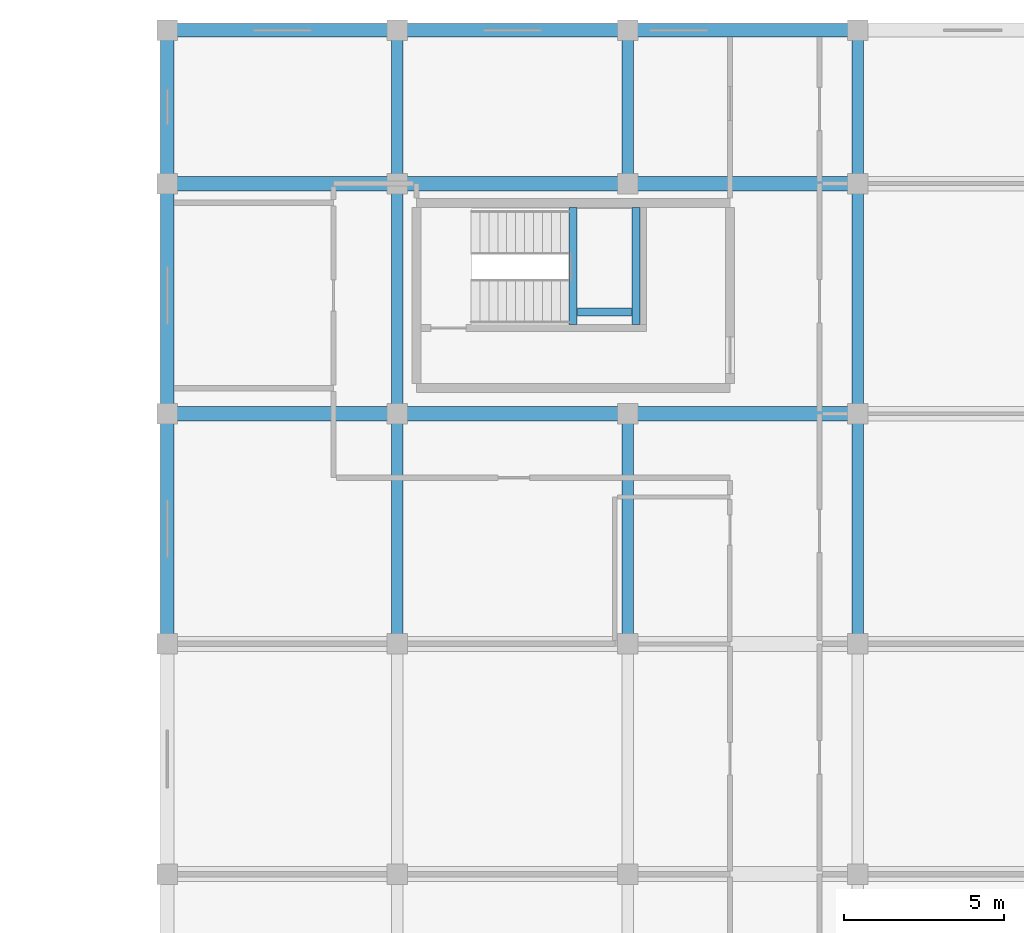
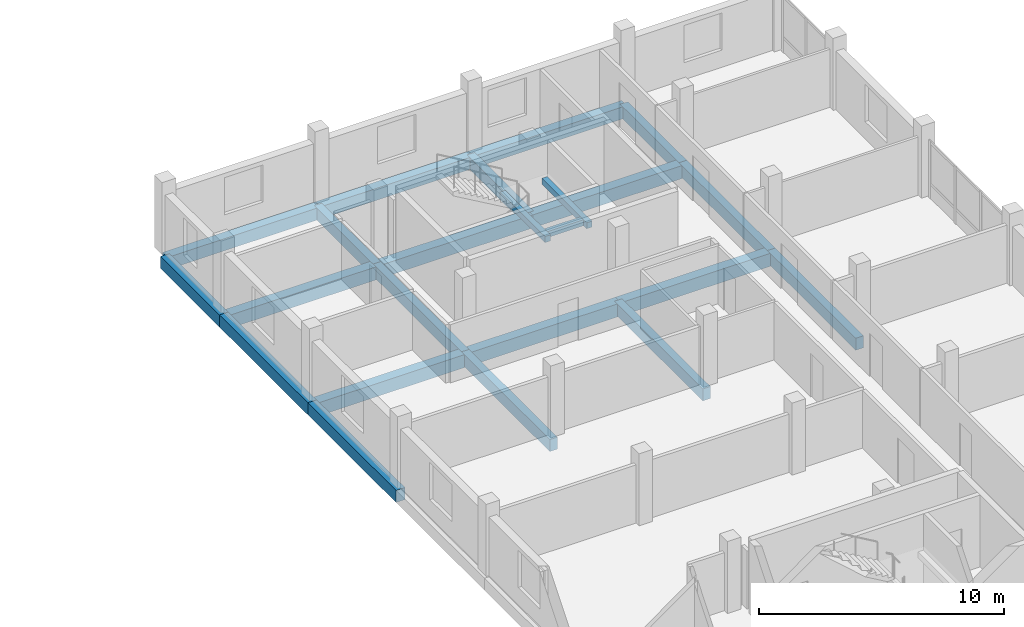
# One storey, part 93 of 128: 23 beams.
"""IFC4 building model written with IfcOpenShell, lengths in metres."""

from ifc_helpers import new_model, si_unit, direction, frame, origin, origin_2d, place, context, subcontext, project, spatial, rectangle, extrude, material, material_profile, profile_set, type_object, element, save


model = new_model("IFC4")

# Units and contexts
model_context = context("Model", 3, precision=1e-05, world=origin(), true_north=direction((0.0, 1.0)))
body_context = subcontext(model_context, "Body", "Model", "MODEL_VIEW")
ifc_project = project(units=[si_unit("LENGTHUNIT", "METRE"), si_unit("AREAUNIT", "SQUARE_METRE"), si_unit("VOLUMEUNIT", "CUBIC_METRE"), si_unit("PLANEANGLEUNIT", "RADIAN"), si_unit("MASSUNIT", "GRAM", prefix="KILO")], contexts=[model_context])

# Site, building, storey
site_placement = place(None, origin())
site = spatial("IfcSite", under=ifc_project, at=site_placement, CompositionType="ELEMENT")
building_placement = place(site_placement, origin())
building = spatial("IfcBuilding", under=site, at=building_placement, Name="Zornivar Specialist Clinic", CompositionType="ELEMENT")
storey_placement = place(building_placement, frame((0.0, 0.0, 4.5)))
storey = spatial("IfcBuildingStorey", under=building, at=storey_placement, Name="L01", CompositionType="ELEMENT", Elevation=4.5)

# Beams
ifc_material_1 = material(Name="Concrete C30/37", Category="concrete")
ifc_material_profile_1 = material_profile(ifc_material_1, rectangle(XDim=0.25, YDim=0.300048828125, at=origin_2d()), Name="RC 250x300")
ifc_profile_set_1 = profile_set([ifc_material_profile_1], Name="Concrete C30/37")
beam_type_1 = type_object("IfcBeamType", Name="BM-LAND-250x300", PredefinedType="BEAM", material=ifc_profile_set_1)
for number, where, z_axis, x_axis, name in (
    (1, (149.5, 103.60009765625, 1.6201171875), (0.0, 1.0, 0.0), (-1.0, 0.0, 0.0), "bm:stair:C10:L01:lW"),
    (2, (151.4599609375, 103.60009765625, 1.6201171875), (0.0, 1.0, 0.0), (-1.0, 0.0, 0.0), "bm:stair:C10:L01:lE"),
):
    element("IfcBeam", number, at=place(storey_placement, frame(where, z_axis=z_axis, x_axis=x_axis)), inside=storey, type_object=beam_type_1, Name=name, PredefinedType="BEAM", context=body_context, shape_type="SweptSolid", body=[
        extrude(rectangle(XDim=0.25, YDim=0.300048828125, at=origin_2d()), origin(), (0.0, 0.0, 1.0), 3.659912109375),
    ])
beam_1_placement = place(storey_placement, frame((149.635009765625, 103.97998046875, 1.6201171875), z_axis=(1.0, 0.0, 0.0), x_axis=(0.0, 1.0, 0.0)))
element("IfcBeam", 3, at=beam_1_placement, inside=storey, type_object=beam_type_1, Name="bm:stair:C10:L01:lS", PredefinedType="BEAM", context=body_context, shape_type="SweptSolid", body=[
    extrude(rectangle(XDim=0.25, YDim=0.300048828125, at=origin_2d()), origin(), (0.0, 0.0, 1.0), 1.68994140625),
])
ifc_material_2 = material(Name="Concrete C30/37", Category="concrete")
ifc_material_profile_2 = material_profile(ifc_material_2, rectangle(XDim=0.360107421875, YDim=0.60009765625, at=origin_2d()), Name="RC 360x600")
ifc_profile_set_2 = profile_set([ifc_material_profile_2], Name="Concrete C30/37")
beam_type_2 = type_object("IfcBeamType", Name="BM-RC-360x600", PredefinedType="BEAM", material=ifc_profile_set_2)
for number, where, z_axis, x_axis, name in (
    (4, (144.0, 93.60009765625, -0.6201171875), (0.0, 1.0, 0.0), (-1.0, 0.0, 0.0), "bm:V6:L01:y:1440:4"),
    (5, (144.0, 100.800048828125, -0.6201171875), (0.0, 1.0, 0.0), (-1.0, 0.0, 0.0), "bm:V6:L01:y:1440:5"),
):
    element("IfcBeam", number, at=place(storey_placement, frame(where, z_axis=z_axis, x_axis=x_axis)), inside=storey, type_object=beam_type_2, Name=name, PredefinedType="BEAM", context=body_context, shape_type="SweptSolid", body=[
        extrude(rectangle(XDim=0.360107421875, YDim=0.60009765625, at=origin_2d()), origin(), (0.0, 0.0, 1.0), 7.199951171875),
    ])
beam_2_placement = place(storey_placement, frame((144.0, 108.0, -0.6201171875), z_axis=(0.0, 1.0, 0.0), x_axis=(-1.0, 0.0, 0.0)))
element("IfcBeam", 6, at=beam_2_placement, inside=storey, type_object=beam_type_2, Name="bm:V6:L01:y:1440:6", PredefinedType="BEAM", context=body_context, shape_type="SweptSolid", body=[
    extrude(rectangle(XDim=0.360107421875, YDim=0.60009765625, at=origin_2d()), origin(), (0.0, 0.0, 1.0), 4.800048828125),
])
beam_3_placement = place(storey_placement, frame((151.199951171875, 93.60009765625, -0.6201171875), z_axis=(0.0, 1.0, 0.0), x_axis=(-1.0, 0.0, 0.0)))
element("IfcBeam", 7, at=beam_3_placement, inside=storey, type_object=beam_type_2, Name="bm:V6:L01:y:1512:4", PredefinedType="BEAM", context=body_context, shape_type="SweptSolid", body=[
    extrude(rectangle(XDim=0.360107421875, YDim=0.60009765625, at=origin_2d()), origin(), (0.0, 0.0, 1.0), 7.199951171875),
])
beam_4_placement = place(storey_placement, frame((151.199951171875, 108.0, -0.6201171875), z_axis=(0.0, 1.0, 0.0), x_axis=(-1.0, 0.0, 0.0)))
element("IfcBeam", 8, at=beam_4_placement, inside=storey, type_object=beam_type_2, Name="bm:V6:L01:y:1512:6", PredefinedType="BEAM", context=body_context, shape_type="SweptSolid", body=[
    extrude(rectangle(XDim=0.360107421875, YDim=0.60009765625, at=origin_2d()), origin(), (0.0, 0.0, 1.0), 4.800048828125),
])
for number, where, z_axis, x_axis, name in (
    (9, (158.39990234375, 93.60009765625, -0.6201171875), (0.0, 1.0, 0.0), (-1.0, 0.0, 0.0), "bm:V6:L01:y:1584:4"),
    (10, (158.39990234375, 100.800048828125, -0.6201171875), (0.0, 1.0, 0.0), (-1.0, 0.0, 0.0), "bm:V6:L01:y:1584:5"),
):
    element("IfcBeam", number, at=place(storey_placement, frame(where, z_axis=z_axis, x_axis=x_axis)), inside=storey, type_object=beam_type_2, Name=name, PredefinedType="BEAM", context=body_context, shape_type="SweptSolid", body=[
        extrude(rectangle(XDim=0.360107421875, YDim=0.60009765625, at=origin_2d()), origin(), (0.0, 0.0, 1.0), 7.199951171875),
    ])
beam_5_placement = place(storey_placement, frame((158.39990234375, 108.0, -0.6201171875), z_axis=(0.0, 1.0, 0.0), x_axis=(-1.0, 0.0, 0.0)))
element("IfcBeam", 11, at=beam_5_placement, inside=storey, type_object=beam_type_2, Name="bm:V6:L01:y:1584:6", PredefinedType="BEAM", context=body_context, shape_type="SweptSolid", body=[
    extrude(rectangle(XDim=0.360107421875, YDim=0.60009765625, at=origin_2d()), origin(), (0.0, 0.0, 1.0), 4.800048828125),
])
ifc_material_3 = material(Name="Concrete C30/37", Category="concrete")
ifc_material_profile_3 = material_profile(ifc_material_3, rectangle(XDim=0.4599609375, YDim=0.64990234375, at=origin_2d()), Name="RC 460x650")
ifc_profile_set_3 = profile_set([ifc_material_profile_3], Name="Concrete C30/37")
beam_type_3 = type_object("IfcBeamType", Name="BM-RC-460x650", PredefinedType="BEAM", material=ifc_profile_set_3)
for number, where, z_axis, x_axis, name in (
    (12, (136.800048828125, 100.800048828125, -0.64501953125), (1.0, 0.0, 0.0), (0.0, 1.0, 0.0), "bm:V6:L01:x:1008:0"),
    (13, (144.0, 100.800048828125, -0.64501953125), (1.0, 0.0, 0.0), (0.0, 1.0, 0.0), "bm:V6:L01:x:1008:1"),
    (14, (151.199951171875, 100.800048828125, -0.64501953125), (1.0, 0.0, 0.0), (0.0, 1.0, 0.0), "bm:V6:L01:x:1008:2"),
    (15, (136.800048828125, 108.0, -0.64501953125), (1.0, 0.0, 0.0), (0.0, 1.0, 0.0), "bm:V6:L01:x:1080:0"),
    (16, (144.0, 108.0, -0.64501953125), (1.0, 0.0, 0.0), (0.0, 1.0, 0.0), "bm:V6:L01:x:1080:1"),
    (17, (151.199951171875, 108.0, -0.64501953125), (1.0, 0.0, 0.0), (0.0, 1.0, 0.0), "bm:V6:L01:x:1080:2"),
):
    element("IfcBeam", number, at=place(storey_placement, frame(where, z_axis=z_axis, x_axis=x_axis)), inside=storey, type_object=beam_type_3, Name=name, PredefinedType="BEAM", context=body_context, shape_type="SweptSolid", body=[
        extrude(rectangle(XDim=0.4599609375, YDim=0.64990234375, at=origin_2d()), origin(), (0.0, 0.0, 1.0), 7.199951171875),
    ])
ifc_material_4 = material(Name="Concrete C30/37", Category="concrete")
ifc_material_profile_4 = material_profile(ifc_material_4, rectangle(XDim=0.419921875, YDim=0.60009765625, at=origin_2d()), Name="RC 420x600")
ifc_profile_set_4 = profile_set([ifc_material_profile_4], Name="Concrete C30/37")
beam_type_4 = type_object("IfcBeamType", Name="BM-RC-SPANDREL-420x600", PredefinedType="SPANDREL", material=ifc_profile_set_4)
for number, where, z_axis, x_axis, name in (
    (18, (136.800048828125, 112.800048828125, -0.6201171875), (1.0, 0.0, 0.0), (0.0, 1.0, 0.0), "bm:V6:L01:x:1128:0"),
    (19, (144.0, 112.800048828125, -0.6201171875), (1.0, 0.0, 0.0), (0.0, 1.0, 0.0), "bm:V6:L01:x:1128:1"),
    (20, (151.199951171875, 112.800048828125, -0.6201171875), (1.0, 0.0, 0.0), (0.0, 1.0, 0.0), "bm:V6:L01:x:1128:2"),
    (21, (136.800048828125, 93.60009765625, -0.6201171875), (0.0, 1.0, 0.0), (-1.0, 0.0, 0.0), "bm:V6:L01:y:1368:4"),
    (22, (136.800048828125, 100.800048828125, -0.6201171875), (0.0, 1.0, 0.0), (-1.0, 0.0, 0.0), "bm:V6:L01:y:1368:5"),
):
    element("IfcBeam", number, at=place(storey_placement, frame(where, z_axis=z_axis, x_axis=x_axis)), inside=storey, type_object=beam_type_4, Name=name, PredefinedType="SPANDREL", context=body_context, shape_type="SweptSolid", body=[
        extrude(rectangle(XDim=0.419921875, YDim=0.60009765625, at=origin_2d()), origin(), (0.0, 0.0, 1.0), 7.199951171875),
    ])
beam_6_placement = place(storey_placement, frame((136.800048828125, 108.0, -0.6201171875), z_axis=(0.0, 1.0, 0.0), x_axis=(-1.0, 0.0, 0.0)))
element("IfcBeam", 23, at=beam_6_placement, inside=storey, type_object=beam_type_4, Name="bm:V6:L01:y:1368:6", PredefinedType="SPANDREL", context=body_context, shape_type="SweptSolid", body=[
    extrude(rectangle(XDim=0.419921875, YDim=0.60009765625, at=origin_2d()), origin(), (0.0, 0.0, 1.0), 4.800048828125),
])

save(model, "model.ifc")
